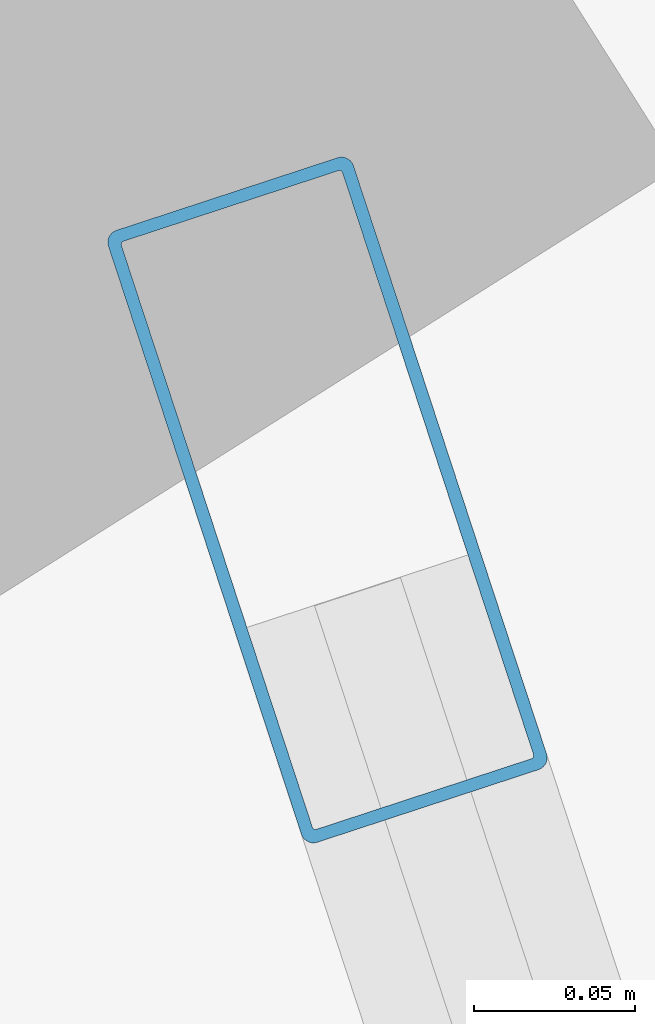
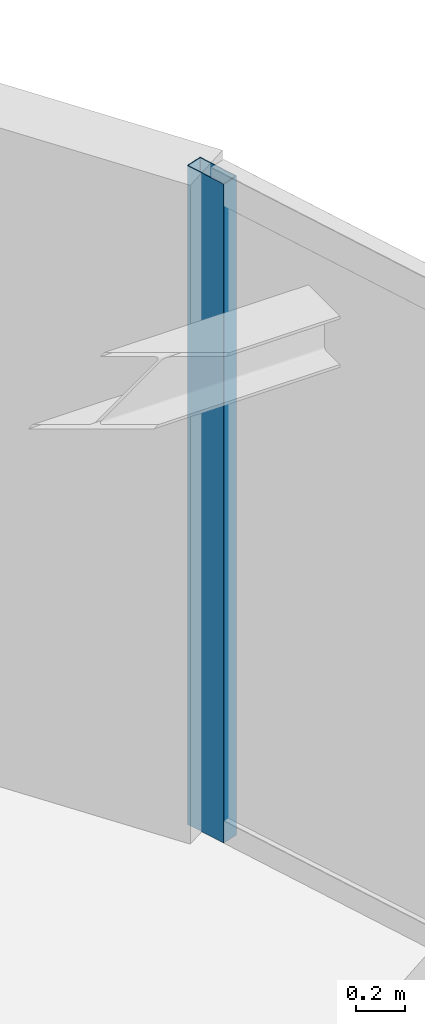
# One storey, part 12 of 24: 1 member, 1 element without a shape of its own.
"""IFC4 building model written with IfcOpenShell, lengths in metres."""

from ifc_helpers import new_model, si_unit, direction, frame, origin, origin_2d, place, context, subcontext, project, spatial, hollow_rectangle, extrude, material, layer, layer_set, material_profile, profile_set, type_object, element, aggregate, save


model = new_model("IFC4")

# Units and contexts
model_context = context("Model", 3, precision=1e-05, world=origin(), true_north=direction((0.0, 1.0)))
body_context = subcontext(model_context, "Body", "Model", "MODEL_VIEW")
ifc_project = project(units=[si_unit("LENGTHUNIT", "METRE"), si_unit("AREAUNIT", "SQUARE_METRE"), si_unit("VOLUMEUNIT", "CUBIC_METRE"), si_unit("PLANEANGLEUNIT", "RADIAN"), si_unit("MASSUNIT", "GRAM", prefix="KILO")], contexts=[model_context])

# Site, building, storey
site_placement = place(None, origin())
site = spatial("IfcSite", under=ifc_project, at=site_placement, CompositionType="ELEMENT")
building_placement = place(site_placement, origin())
building = spatial("IfcBuilding", under=site, at=building_placement, Name="Bramvorn Convention Spire", CompositionType="ELEMENT")
storey_placement = place(building_placement, frame((0.0, 0.0, 83.39990234375)))
storey = spatial("IfcBuildingStorey", under=building, at=storey_placement, Name="L19", CompositionType="ELEMENT", Elevation=83.39990234375)

# Curtain wall, member
ifc_material_1 = material(Name="Anodised Bronze Unitised Curtain Wall", Category="aluminium")
ifc_layer = layer(ifc_material_1, 0.179931640625)
ifc_layer_set = layer_set([ifc_layer], Name="Anodised Bronze Unitised Curtain Wall - CW-HTL-FRIT")
curtain_wall_type = type_object("IfcCurtainWallType", Name="CW-HTL-FRIT", PredefinedType="USERDEFINED", material=ifc_layer_set)
curtain_wall_placement = place(storey_placement, origin())
curtain_wall = element("IfcCurtainWall", 1, at=curtain_wall_placement, inside=storey, type_object=curtain_wall_type, Name="L19 fritted glass curtain wall 02", ObjectType="UNITISED CURTAIN WALL", PredefinedType="USERDEFINED")
ifc_material_2 = material(Name="Anodised Bronze Aluminium 6063-T6", Category="aluminium")
ifc_material_profile = material_profile(ifc_material_2, hollow_rectangle(XDim=0.080078125, YDim=0.199951171875, WallThickness=0.00390625, InnerFilletRadius=0.0009765625, OuterFilletRadius=0.00390625, at=origin_2d()))
ifc_profile_set = profile_set([ifc_material_profile], Name="Anodised Bronze Aluminium 6063-T6 - CWM80X200")
member_type = type_object("IfcMemberType", Name="CW-MUL-180", PredefinedType="MULLION", material=ifc_profile_set)
member_placement = place(storey_placement, frame((68.195556640625, 30.359130859375, 0.0), z_axis=(0.0, 0.0, 1.0), x_axis=(0.950133245495, 0.311844217206, 0.0)))
member = element("IfcMember", 2, at=member_placement, type_object=member_type, Name="CW2 mullion 1", PredefinedType="MULLION", context=body_context, shape_type="SweptSolid", body=[
    extrude(hollow_rectangle(XDim=0.080078125, YDim=0.199951171875, WallThickness=0.00390625, InnerFilletRadius=0.0009765625, OuterFilletRadius=0.00390625, at=origin_2d()), origin(), (0.0, 0.0, 1.0), 3.25),
])
aggregate(curtain_wall, [member])

save(model, "model.ifc")
